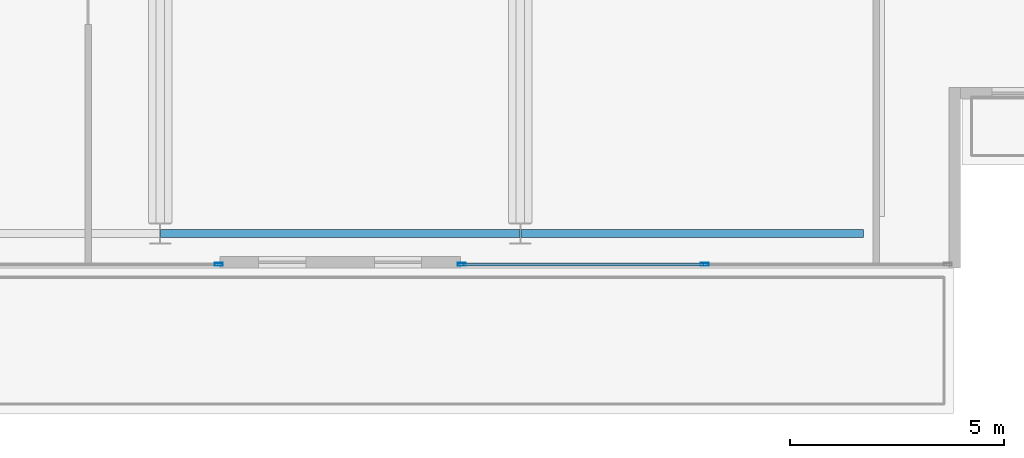
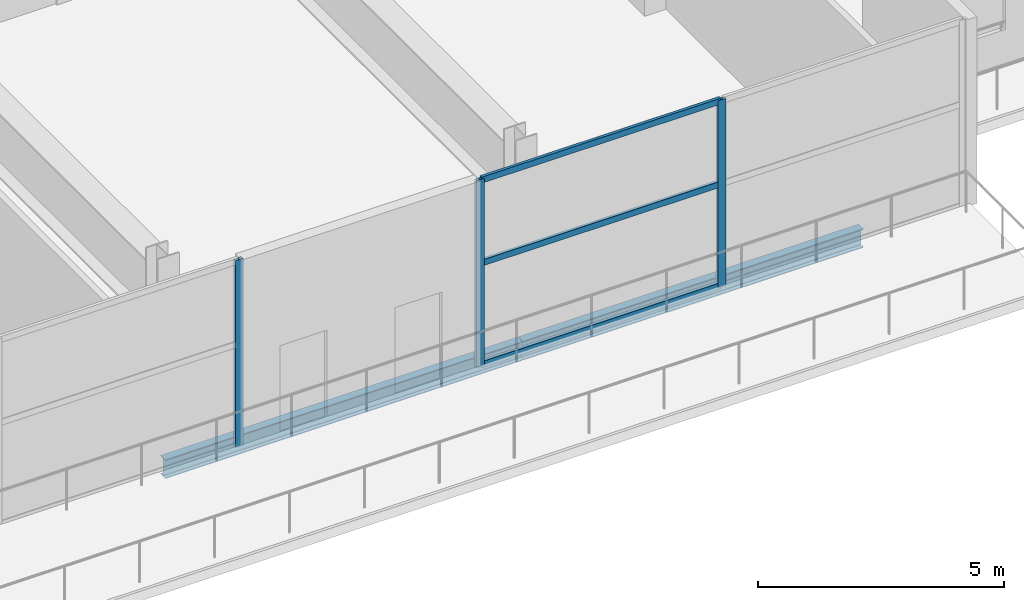
# One storey, part 5 of 22: 6 members, 2 beams, 2 elements without a shape of their own.
"""IFC4 building model written with IfcOpenShell, lengths in metres."""

from ifc_helpers import new_model, si_unit, direction, frame, origin, origin_2d, place, context, subcontext, project, spatial, hollow_rectangle, i_section, extrude, material, layer, layer_set, material_profile, profile_set, type_object, element, aggregate, save


model = new_model("IFC4")

# Units and contexts
model_context = context("Model", 3, precision=1e-05, world=origin(), true_north=direction((0.0, 1.0)))
body_context = subcontext(model_context, "Body", "Model", "MODEL_VIEW")
ifc_project = project(units=[si_unit("LENGTHUNIT", "METRE"), si_unit("AREAUNIT", "SQUARE_METRE"), si_unit("VOLUMEUNIT", "CUBIC_METRE"), si_unit("PLANEANGLEUNIT", "RADIAN"), si_unit("MASSUNIT", "GRAM", prefix="KILO")], contexts=[model_context])

# Site, building, storey
site_placement = place(None, origin())
site = spatial("IfcSite", under=ifc_project, at=site_placement, CompositionType="ELEMENT")
building_placement = place(site_placement, origin())
building = spatial("IfcBuilding", under=site, at=building_placement, Name="Maruvema Waterfront Hotel and Observation Tower", CompositionType="ELEMENT")
storey_placement = place(building_placement, frame((0.0, 0.0, 354.199951171875)))
storey = spatial("IfcBuildingStorey", under=building, at=storey_placement, Name="L87", CompositionType="ELEMENT", Elevation=354.199951171875)

# Curtain wall, members
ifc_material_1 = material(Name="Anodised bronze aluminium and solar-control low-E IGU", Category="aluminium")
ifc_layer = layer(ifc_material_1, 0.159912109375, Name="Observation Crown Structural Glazed Curtain Wall System CW-06")
ifc_layer_set = layer_set([ifc_layer], Name="Anodised bronze aluminium and solar-control low-E IGU")
curtain_wall_type = type_object("IfcCurtainWallType", Name="Observation Crown Structural Glazed Curtain Wall System CW-06", PredefinedType="USERDEFINED", material=ifc_layer_set)
curtain_wall_1_placement = place(storey_placement, origin())
curtain_wall_1 = element("IfcCurtainWall", 1, at=curtain_wall_1_placement, inside=storey, type_object=curtain_wall_type, Name="L87 Curtain Wall CW-L87-SE", ObjectType="UNITISED CURTAIN WALL", PredefinedType="USERDEFINED")
ifc_material_2 = material(Name="Anodised architectural bronze aluminium", Category="aluminium")
ifc_material_profile_1 = material_profile(ifc_material_2, hollow_rectangle(XDim=0.070068359375, YDim=0.14990234375, WallThickness=0.00390625, at=origin_2d()), Name="ALU-T70x150")
ifc_profile_set_1 = profile_set([ifc_material_profile_1], Name="Anodised architectural bronze aluminium")
member_type_1 = type_object("IfcMemberType", Name="Curtain Wall Horizontal Transom ALU-T70x150", PredefinedType="USERDEFINED", material=ifc_profile_set_1)
member_1_placement = place(storey_placement, frame((40.659912109375, 17.280029296875, 0.030029296875), z_axis=(1.0, 0.0, 0.0), x_axis=(0.0, 1.0, 0.0)))
member_1 = element("IfcMember", 2, at=member_1_placement, type_object=member_type_1, Name="CW-06 transom 1.1", ObjectType="TRANSOM", PredefinedType="USERDEFINED", context=body_context, shape_type="SweptSolid", body=[
    extrude(hollow_rectangle(XDim=0.070068359375, YDim=0.14990234375, WallThickness=0.00390625, at=origin_2d()), origin(), (0.0, 0.0, 1.0), 5.610107421875),
])
member_2_placement = place(storey_placement, frame((40.659912109375, 17.280029296875, 2.550048828125), z_axis=(1.0, 0.0, 0.0), x_axis=(0.0, 1.0, 0.0)))
member_2 = element("IfcMember", 3, at=member_2_placement, type_object=member_type_1, Name="CW-06 transom 1.2", ObjectType="TRANSOM", PredefinedType="USERDEFINED", context=body_context, shape_type="SweptSolid", body=[
    extrude(hollow_rectangle(XDim=0.070068359375, YDim=0.14990234375, WallThickness=0.00390625, at=origin_2d()), origin(), (0.0, 0.0, 1.0), 5.610107421875),
])
member_3_placement = place(storey_placement, frame((40.659912109375, 17.280029296875, 4.610107421875), z_axis=(1.0, 0.0, 0.0), x_axis=(0.0, 1.0, 0.0)))
member_3 = element("IfcMember", 4, at=member_3_placement, type_object=member_type_1, Name="CW-06 transom 1.3", ObjectType="TRANSOM", PredefinedType="USERDEFINED", context=body_context, shape_type="SweptSolid", body=[
    extrude(hollow_rectangle(XDim=0.070068359375, YDim=0.14990234375, WallThickness=0.00390625, at=origin_2d()), origin(), (0.0, 0.0, 1.0), 5.610107421875),
])

# Curtain wall, member
curtain_wall_2_placement = place(storey_placement, origin())
curtain_wall_2 = element("IfcCurtainWall", 5, at=curtain_wall_2_placement, inside=storey, type_object=curtain_wall_type, Name="L87 Curtain Wall CW-L87-SW", ObjectType="UNITISED CURTAIN WALL", PredefinedType="USERDEFINED")
ifc_material_3 = material(Name="Anodised architectural bronze aluminium", Category="aluminium")
ifc_material_profile_2 = material_profile(ifc_material_3, hollow_rectangle(XDim=0.070068359375, YDim=0.18994140625, WallThickness=0.00390625, at=origin_2d()), Name="ALU-M70x190")
ifc_profile_set_2 = profile_set([ifc_material_profile_2], Name="Anodised architectural bronze aluminium")
member_type_2 = type_object("IfcMemberType", Name="Podium Storefront Heavy Mullion ALU-M70x190", PredefinedType="MULLION", material=ifc_profile_set_2)
member_4_placement = place(storey_placement, frame((34.969970703125, 17.280029296875, 0.0), z_axis=(0.0, 0.0, 1.0), x_axis=(0.0, 1.0, 0.0)))
member_4 = element("IfcMember", 6, at=member_4_placement, type_object=member_type_2, Name="CW-06 mullion 3", PredefinedType="MULLION", context=body_context, shape_type="SweptSolid", body=[
    extrude(hollow_rectangle(XDim=0.070068359375, YDim=0.18994140625, WallThickness=0.00390625, at=origin_2d()), origin(), (0.0, 0.0, 1.0), 4.64013671875),
])
aggregate(curtain_wall_2, [member_4])

# Member
member_5_placement = place(storey_placement, frame((40.6298828125, 17.280029296875, 0.0), z_axis=(0.0, 0.0, 1.0), x_axis=(0.0, 1.0, 0.0)))
member_5 = element("IfcMember", 7, at=member_5_placement, type_object=member_type_2, Name="CW-06 mullion 1", PredefinedType="MULLION", context=body_context, shape_type="SweptSolid", body=[
    extrude(hollow_rectangle(XDim=0.070068359375, YDim=0.18994140625, WallThickness=0.00390625, at=origin_2d()), origin(), (0.0, 0.0, 1.0), 4.64013671875),
])

member_6_placement = place(storey_placement, frame((46.300048828125, 17.280029296875, 0.0), z_axis=(0.0, 0.0, 1.0), x_axis=(0.0, 1.0, 0.0)))
member_6 = element("IfcMember", 8, at=member_6_placement, type_object=member_type_2, Name="CW-06 mullion 2", PredefinedType="MULLION", context=body_context, shape_type="SweptSolid", body=[
    extrude(hollow_rectangle(XDim=0.070068359375, YDim=0.18994140625, WallThickness=0.00390625, at=origin_2d()), origin(), (0.0, 0.0, 1.0), 4.64013671875),
])

aggregate(curtain_wall_1, [member_5, member_6, member_1, member_2, member_3])

# Beams
ifc_material_4 = material(Name="Steel ASTM A572 Grade 50", Category="steel")
ifc_material_profile_3 = material_profile(ifc_material_4, i_section(OverallWidth=0.194091796875, OverallDepth=0.468994140625, WebThickness=0.0126953125, FlangeThickness=0.0205078125, FilletRadius=0.014892578125, at=origin_2d()), Name="W460x106.0")
ifc_profile_set_3 = profile_set([ifc_material_profile_3], Name="Steel ASTM A572 Grade 50")
beam_type = type_object("IfcBeamType", Name="Primary Floor Girder W460x106.0", PredefinedType="BEAM", material=ifc_profile_set_3)
beam_1_placement = place(storey_placement, frame((33.611083984375, 18.0, -0.494384765625), z_axis=(1.0, 0.0, 0.0), x_axis=(0.0, 1.0, 0.0)))
element("IfcBeam", 9, at=beam_1_placement, inside=storey, type_object=beam_type, Name="L87 Floor Girder EW-02", PredefinedType="BEAM", context=body_context, shape_type="SweptSolid", body=[
    extrude(i_section(OverallWidth=0.194091796875, OverallDepth=0.468994140625, WebThickness=0.0126953125, FlangeThickness=0.0205078125, FilletRadius=0.014892578125, at=origin_2d()), origin(), (0.0, 0.0, 1.0), 8.3779296875),
])
beam_2_placement = place(storey_placement, frame((42.010986328125, 18.0, -0.494384765625), z_axis=(1.0, 0.0, 0.0), x_axis=(0.0, 1.0, 0.0)))
element("IfcBeam", 10, at=beam_2_placement, inside=storey, type_object=beam_type, Name="L87 Floor Girder EW-03", PredefinedType="BEAM", context=body_context, shape_type="SweptSolid", body=[
    extrude(i_section(OverallWidth=0.194091796875, OverallDepth=0.468994140625, WebThickness=0.0126953125, FlangeThickness=0.0205078125, FilletRadius=0.014892578125, at=origin_2d()), origin(), (0.0, 0.0, 1.0), 7.989013671875),
])

save(model, "model.ifc")
